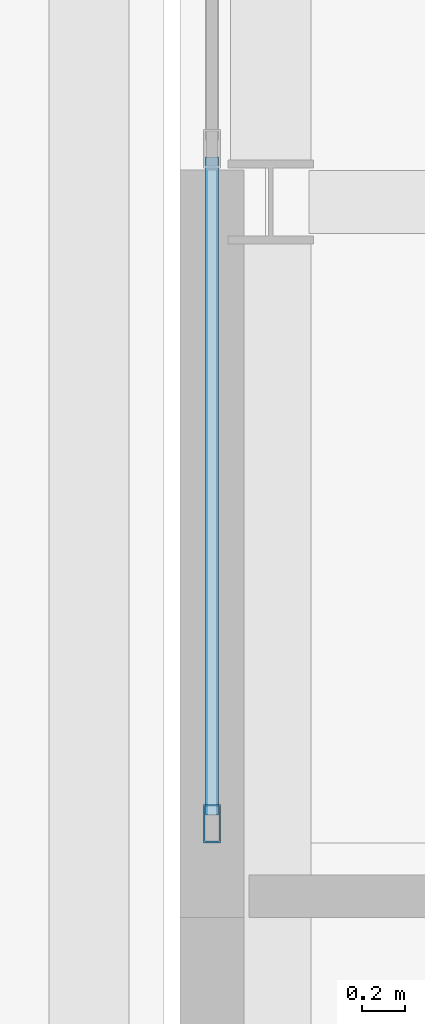
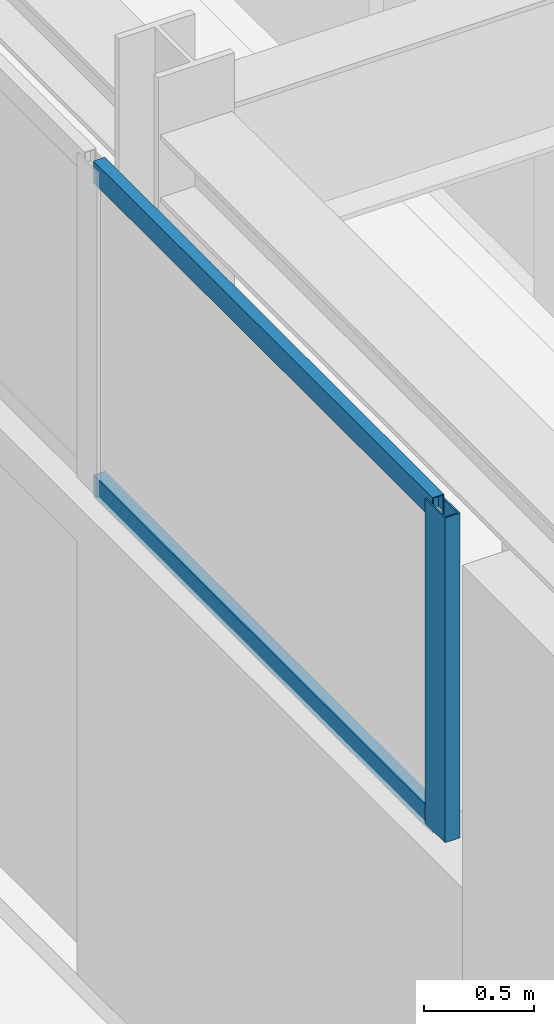
# One storey, part 5 of 21: 3 members, 1 element without a shape of its own.
"""IFC4 building model written with IfcOpenShell, lengths in metres."""

from ifc_helpers import new_model, si_unit, direction, frame, origin, origin_2d, place, context, subcontext, project, spatial, hollow_rectangle, extrude, material, layer, layer_set, material_profile, profile_set, type_object, element, aggregate, save


model = new_model("IFC4")

# Units and contexts
model_context = context("Model", 3, precision=1e-05, world=origin(), true_north=direction((0.0, 1.0)))
body_context = subcontext(model_context, "Body", "Model", "MODEL_VIEW")
ifc_project = project(units=[si_unit("LENGTHUNIT", "METRE"), si_unit("AREAUNIT", "SQUARE_METRE"), si_unit("VOLUMEUNIT", "CUBIC_METRE"), si_unit("PLANEANGLEUNIT", "RADIAN"), si_unit("MASSUNIT", "GRAM", prefix="KILO")], contexts=[model_context])

# Site, building, storey
site_placement = place(None, origin())
site = spatial("IfcSite", under=ifc_project, at=site_placement, CompositionType="ELEMENT")
building_placement = place(site_placement, origin())
building = spatial("IfcBuilding", under=site, at=building_placement, Name="Mersakhor Tower and Convention Hall", CompositionType="ELEMENT")
storey_placement = place(building_placement, origin())
storey = spatial("IfcBuildingStorey", under=building, at=storey_placement, Name="L00", CompositionType="ELEMENT", Elevation=0.0)

# Curtain wall, members
ifc_material_1 = material(Name="Dark solar low-E aluminium curtain wall", Category="aluminium")
ifc_layer = layer(ifc_material_1, 0.219970703125)
ifc_layer_set = layer_set([ifc_layer], Name="Dark solar low-E aluminium curtain wall")
curtain_wall_type = type_object("IfcCurtainWallType", Name="CW-SYS-07", PredefinedType="USERDEFINED", material=ifc_layer_set)
curtain_wall_placement = place(storey_placement, origin())
curtain_wall = element("IfcCurtainWall", 1, at=curtain_wall_placement, inside=storey, type_object=curtain_wall_type, Name="Convention L00 West Curtain Wall", ObjectType="CURTAIN WALL", PredefinedType="USERDEFINED")
ifc_material_2 = material(Name="Anodised aluminium EN AW-6063 T6", Category="aluminium")
ifc_material_profile_1 = material_profile(ifc_material_2, hollow_rectangle(XDim=0.080078125, YDim=0.179931640625, WallThickness=0.008056640625, at=origin_2d()), Name="RHS 180x80x8")
ifc_profile_set_1 = profile_set([ifc_material_profile_1], Name="Anodised aluminium EN AW-6063 T6")
member_type_1 = type_object("IfcMemberType", Name="CWM-180x80", PredefinedType="MULLION", material=ifc_profile_set_1)
member_1_placement = place(storey_placement, frame((55.22509765625, 22.840087890625, 2.60009765625), z_axis=(0.0, 0.0, 1.0), x_axis=(-1.0, 0.0, 0.0)))
member_1 = element("IfcMember", 2, at=member_1_placement, type_object=member_type_1, Name="CW-07 mullion 1", PredefinedType="MULLION", context=body_context, shape_type="SweptSolid", body=[
    extrude(hollow_rectangle(XDim=0.080078125, YDim=0.179931640625, WallThickness=0.008056640625, at=origin_2d()), origin(), (0.0, 0.0, 1.0), 1.7998046875),
])
ifc_material_3 = material(Name="Anodised aluminium EN AW-6063 T6", Category="aluminium")
ifc_material_profile_2 = material_profile(ifc_material_3, hollow_rectangle(XDim=0.06005859375, YDim=0.1201171875, WallThickness=0.0048828125, at=origin_2d()), Name="RHS 120x60x5")
ifc_profile_set_2 = profile_set([ifc_material_profile_2], Name="Anodised aluminium EN AW-6063 T6")
member_type_2 = type_object("IfcMemberType", Name="CWT-120x60", PredefinedType="USERDEFINED", material=ifc_profile_set_2)
member_2_placement = place(storey_placement, frame((55.22509765625, 22.8798828125, 2.6298828125), z_axis=(0.0, 1.0, 0.0), x_axis=(-1.0, 0.0, 0.0)))
member_2 = element("IfcMember", 3, at=member_2_placement, type_object=member_type_2, Name="CW-07 transom 1.1", ObjectType="TRANSOM", PredefinedType="USERDEFINED", context=body_context, shape_type="SweptSolid", body=[
    extrude(hollow_rectangle(XDim=0.06005859375, YDim=0.1201171875, WallThickness=0.0048828125, at=origin_2d()), origin(), (0.0, 0.0, 1.0), 3.080078125),
])
member_3_placement = place(storey_placement, frame((55.22509765625, 22.8798828125, 4.3701171875), z_axis=(0.0, 1.0, 0.0), x_axis=(-1.0, 0.0, 0.0)))
member_3 = element("IfcMember", 4, at=member_3_placement, type_object=member_type_2, Name="CW-07 transom 1.2", ObjectType="TRANSOM", PredefinedType="USERDEFINED", context=body_context, shape_type="SweptSolid", body=[
    extrude(hollow_rectangle(XDim=0.06005859375, YDim=0.1201171875, WallThickness=0.0048828125, at=origin_2d()), origin(), (0.0, 0.0, 1.0), 3.080078125),
])
aggregate(curtain_wall, [member_1, member_2, member_3])

save(model, "model.ifc")
